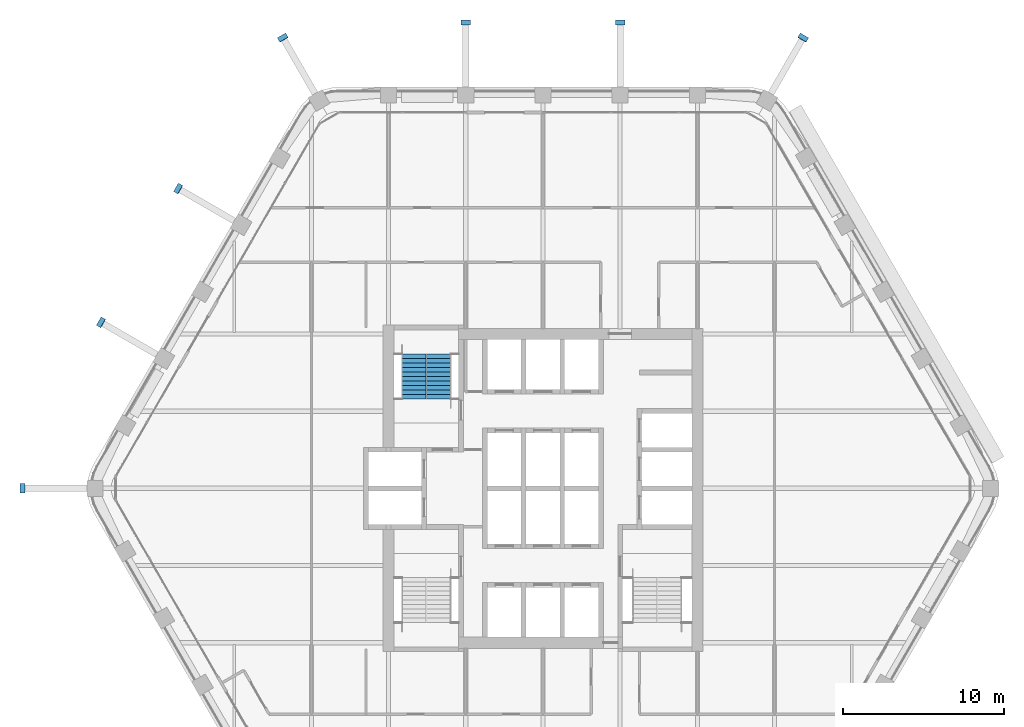
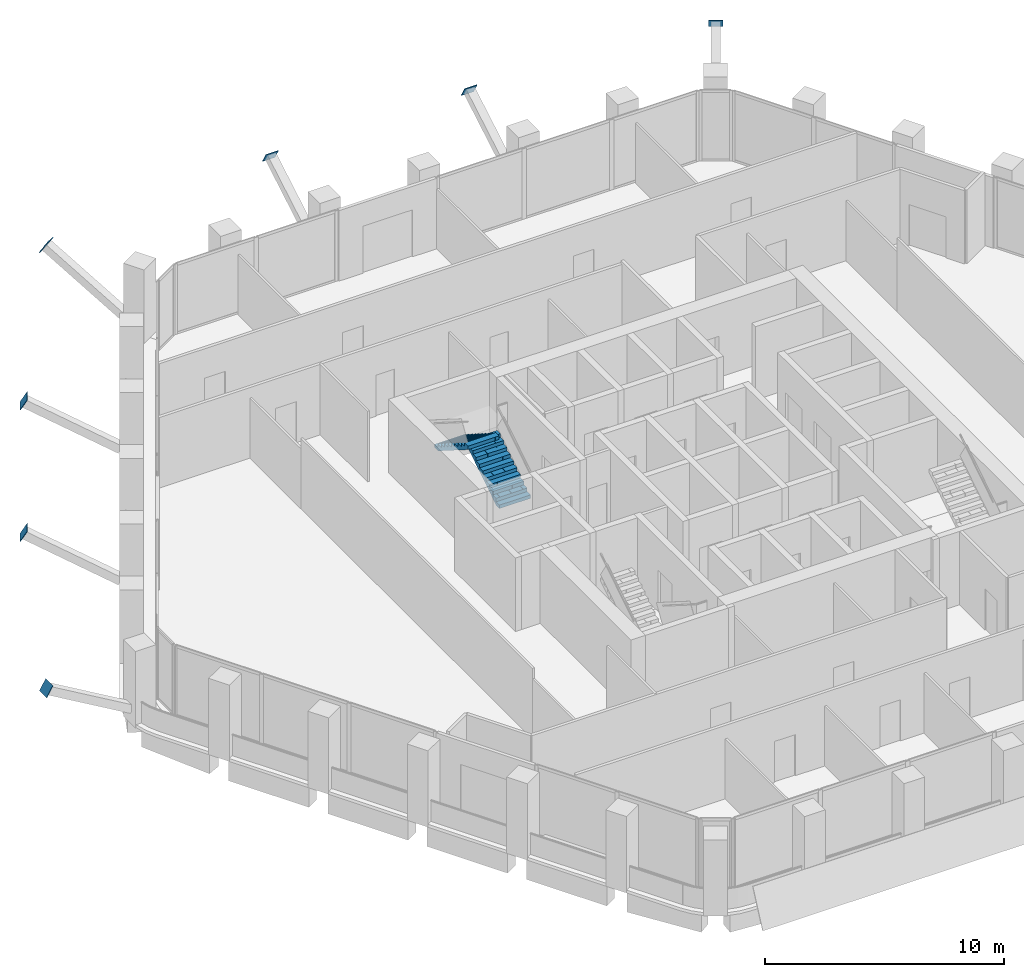
# One storey, part 14 of 16: 7 discrete accessories, 2 stair flights, 1 element without a shape of its own.
"""IFC4 building model written with IfcOpenShell, lengths in metres."""

from ifc_helpers import new_model, si_unit, direction, frame, origin, origin_2d, place, context, subcontext, project, spatial, polyline, rectangle, outline, extrude, material, type_object, element, aggregate, save


model = new_model("IFC4")

# Units and contexts
model_context = context("Model", 3, precision=1e-05, world=origin(), true_north=direction((0.0, 1.0)))
body_context = subcontext(model_context, "Body", "Model", "MODEL_VIEW")
ifc_project = project(units=[si_unit("LENGTHUNIT", "METRE"), si_unit("AREAUNIT", "SQUARE_METRE"), si_unit("VOLUMEUNIT", "CUBIC_METRE"), si_unit("PLANEANGLEUNIT", "RADIAN"), si_unit("MASSUNIT", "GRAM", prefix="KILO")], contexts=[model_context])

# Site, building, storey
site_placement = place(None, origin())
site = spatial("IfcSite", under=ifc_project, at=site_placement, CompositionType="ELEMENT")
building_placement = place(site_placement, origin())
building = spatial("IfcBuilding", under=site, at=building_placement, Name="Kolab Exchange Tower", CompositionType="ELEMENT")
storey_placement = place(building_placement, frame((0.0, 0.0, 146.60009765625)))
storey = spatial("IfcBuildingStorey", under=building, at=storey_placement, Name="L29", CompositionType="ELEMENT", Elevation=146.60009765625)

# Stair, stair flights
ifc_material = material(Name="Concrete C50/60", Category="concrete")
stair_type = type_object("IfcStairType", Name="STAIR ST1 RISER 177.3", PredefinedType="HALF_TURN_STAIR", material=ifc_material)
stair_placement = place(storey_placement, origin())
stair = element("IfcStair", 1, at=stair_placement, inside=storey, type_object=stair_type, Name="Stair 1", PredefinedType="HALF_TURN_STAIR")
stair_flight_type = type_object("IfcStairFlightType", Name="STAIR FLIGHT 1500 RISER 177.3", PredefinedType="STRAIGHT", material=ifc_material)
stair_flight_1_placement = place(storey_placement, frame((-6.489990234375, 5.550048828125, 0.0), z_axis=(0.0, 0.0, 1.0), x_axis=(0.0, 1.0, 0.0)))
stair_flight_1 = element("IfcStairFlight", 2, at=stair_flight_1_placement, type_object=stair_flight_type, Name="ST1 flight 1", NumberOfRisers=11, NumberOfTreads=10, PredefinedType="STRAIGHT", RiserHeight=0.177272727, TreadLength=0.28, context=body_context, shape_type="SweptSolid", body=[
    extrude(outline(polyline([(0.0, 0.0), (0.0, 0.17724609375), (0.280029296875, 0.17724609375), (0.280029296875, 0.3544921875), (0.56005859375, 0.3544921875), (0.56005859375, 0.53173828125), (0.840087890625, 0.53173828125), (0.840087890625, 0.708984375), (1.1201171875, 0.708984375), (1.1201171875, 0.886474609375), (1.39990234375, 0.886474609375), (1.39990234375, 1.063720703125), (1.679931640625, 1.063720703125), (1.679931640625, 1.240966796875), (1.9599609375, 1.240966796875), (1.9599609375, 1.418212890625), (2.239990234375, 1.418212890625), (2.239990234375, 1.595458984375), (2.52001953125, 1.595458984375), (2.52001953125, 1.772705078125), (2.800048828125, 1.772705078125), (2.800048828125, 1.949951171875), (2.800048828125, 1.59521484375), (0.2802734375, 0.0), (0.0, 0.0)])), frame((0.0, 0.75, 0.0), z_axis=(0.0, -1.0, 0.0), x_axis=(1.0, 0.0, 0.0)), (0.0, 0.0, 1.0), 0.185791015625),
    extrude(outline(polyline([(0.0, 0.0), (0.0, 0.17724609375), (0.280029296875, 0.17724609375), (0.280029296875, 0.3544921875), (0.56005859375, 0.3544921875), (0.56005859375, 0.53173828125), (0.840087890625, 0.53173828125), (0.840087890625, 0.708984375), (1.1201171875, 0.708984375), (1.1201171875, 0.886474609375), (1.39990234375, 0.886474609375), (1.39990234375, 1.063720703125), (1.679931640625, 1.063720703125), (1.679931640625, 1.240966796875), (1.9599609375, 1.240966796875), (1.9599609375, 1.418212890625), (2.239990234375, 1.418212890625), (2.239990234375, 1.595458984375), (2.52001953125, 1.595458984375), (2.52001953125, 1.772705078125), (2.800048828125, 1.772705078125), (2.800048828125, 1.949951171875), (2.800048828125, 1.59521484375), (0.2802734375, 0.0), (0.0, 0.0)])), frame((0.0, 0.562255859375, 0.0), z_axis=(0.0, -1.0, 0.0), x_axis=(1.0, 0.0, 0.0)), (0.0, 0.0, 1.0), 0.185791015625),
    extrude(outline(polyline([(0.0, 0.0), (0.0, 0.17724609375), (0.280029296875, 0.17724609375), (0.280029296875, 0.3544921875), (0.56005859375, 0.3544921875), (0.56005859375, 0.53173828125), (0.840087890625, 0.53173828125), (0.840087890625, 0.708984375), (1.1201171875, 0.708984375), (1.1201171875, 0.886474609375), (1.39990234375, 0.886474609375), (1.39990234375, 1.063720703125), (1.679931640625, 1.063720703125), (1.679931640625, 1.240966796875), (1.9599609375, 1.240966796875), (1.9599609375, 1.418212890625), (2.239990234375, 1.418212890625), (2.239990234375, 1.595458984375), (2.52001953125, 1.595458984375), (2.52001953125, 1.772705078125), (2.800048828125, 1.772705078125), (2.800048828125, 1.949951171875), (2.800048828125, 1.59521484375), (0.2802734375, 0.0), (0.0, 0.0)])), frame((0.0, 0.37451171875, 0.0), z_axis=(0.0, -1.0, 0.0), x_axis=(1.0, 0.0, 0.0)), (0.0, 0.0, 1.0), 0.185791015625),
    extrude(outline(polyline([(0.0, 0.0), (0.0, 0.17724609375), (0.280029296875, 0.17724609375), (0.280029296875, 0.3544921875), (0.56005859375, 0.3544921875), (0.56005859375, 0.53173828125), (0.840087890625, 0.53173828125), (0.840087890625, 0.708984375), (1.1201171875, 0.708984375), (1.1201171875, 0.886474609375), (1.39990234375, 0.886474609375), (1.39990234375, 1.063720703125), (1.679931640625, 1.063720703125), (1.679931640625, 1.240966796875), (1.9599609375, 1.240966796875), (1.9599609375, 1.418212890625), (2.239990234375, 1.418212890625), (2.239990234375, 1.595458984375), (2.52001953125, 1.595458984375), (2.52001953125, 1.772705078125), (2.800048828125, 1.772705078125), (2.800048828125, 1.949951171875), (2.800048828125, 1.59521484375), (0.2802734375, 0.0), (0.0, 0.0)])), frame((0.0, 0.186767578125, 0.0), z_axis=(0.0, -1.0, 0.0), x_axis=(1.0, 0.0, 0.0)), (0.0, 0.0, 1.0), 0.185791015625),
    extrude(outline(polyline([(0.0, 0.0), (0.0, 0.17724609375), (0.280029296875, 0.17724609375), (0.280029296875, 0.3544921875), (0.56005859375, 0.3544921875), (0.56005859375, 0.53173828125), (0.840087890625, 0.53173828125), (0.840087890625, 0.708984375), (1.1201171875, 0.708984375), (1.1201171875, 0.886474609375), (1.39990234375, 0.886474609375), (1.39990234375, 1.063720703125), (1.679931640625, 1.063720703125), (1.679931640625, 1.240966796875), (1.9599609375, 1.240966796875), (1.9599609375, 1.418212890625), (2.239990234375, 1.418212890625), (2.239990234375, 1.595458984375), (2.52001953125, 1.595458984375), (2.52001953125, 1.772705078125), (2.800048828125, 1.772705078125), (2.800048828125, 1.949951171875), (2.800048828125, 1.59521484375), (0.2802734375, 0.0), (0.0, 0.0)])), frame((0.0, -0.0009765625, 0.0), z_axis=(0.0, -1.0, 0.0), x_axis=(1.0, 0.0, 0.0)), (0.0, 0.0, 1.0), 0.185791015625),
    extrude(outline(polyline([(0.0, 0.0), (0.0, 0.17724609375), (0.280029296875, 0.17724609375), (0.280029296875, 0.3544921875), (0.56005859375, 0.3544921875), (0.56005859375, 0.53173828125), (0.840087890625, 0.53173828125), (0.840087890625, 0.708984375), (1.1201171875, 0.708984375), (1.1201171875, 0.886474609375), (1.39990234375, 0.886474609375), (1.39990234375, 1.063720703125), (1.679931640625, 1.063720703125), (1.679931640625, 1.240966796875), (1.9599609375, 1.240966796875), (1.9599609375, 1.418212890625), (2.239990234375, 1.418212890625), (2.239990234375, 1.595458984375), (2.52001953125, 1.595458984375), (2.52001953125, 1.772705078125), (2.800048828125, 1.772705078125), (2.800048828125, 1.949951171875), (2.800048828125, 1.59521484375), (0.2802734375, 0.0), (0.0, 0.0)])), frame((0.0, -0.188720703125, 0.0), z_axis=(0.0, -1.0, 0.0), x_axis=(1.0, 0.0, 0.0)), (0.0, 0.0, 1.0), 0.185791015625),
    extrude(outline(polyline([(0.0, 0.0), (0.0, 0.17724609375), (0.280029296875, 0.17724609375), (0.280029296875, 0.3544921875), (0.56005859375, 0.3544921875), (0.56005859375, 0.53173828125), (0.840087890625, 0.53173828125), (0.840087890625, 0.708984375), (1.1201171875, 0.708984375), (1.1201171875, 0.886474609375), (1.39990234375, 0.886474609375), (1.39990234375, 1.063720703125), (1.679931640625, 1.063720703125), (1.679931640625, 1.240966796875), (1.9599609375, 1.240966796875), (1.9599609375, 1.418212890625), (2.239990234375, 1.418212890625), (2.239990234375, 1.595458984375), (2.52001953125, 1.595458984375), (2.52001953125, 1.772705078125), (2.800048828125, 1.772705078125), (2.800048828125, 1.949951171875), (2.800048828125, 1.59521484375), (0.2802734375, 0.0), (0.0, 0.0)])), frame((0.0, -0.37646484375, 0.0), z_axis=(0.0, -1.0, 0.0), x_axis=(1.0, 0.0, 0.0)), (0.0, 0.0, 1.0), 0.185791015625),
    extrude(outline(polyline([(0.0, 0.0), (0.0, 0.17724609375), (0.280029296875, 0.17724609375), (0.280029296875, 0.3544921875), (0.56005859375, 0.3544921875), (0.56005859375, 0.53173828125), (0.840087890625, 0.53173828125), (0.840087890625, 0.708984375), (1.1201171875, 0.708984375), (1.1201171875, 0.886474609375), (1.39990234375, 0.886474609375), (1.39990234375, 1.063720703125), (1.679931640625, 1.063720703125), (1.679931640625, 1.240966796875), (1.9599609375, 1.240966796875), (1.9599609375, 1.418212890625), (2.239990234375, 1.418212890625), (2.239990234375, 1.595458984375), (2.52001953125, 1.595458984375), (2.52001953125, 1.772705078125), (2.800048828125, 1.772705078125), (2.800048828125, 1.949951171875), (2.800048828125, 1.59521484375), (0.2802734375, 0.0), (0.0, 0.0)])), frame((0.0, -0.564208984375, 0.0), z_axis=(0.0, -1.0, 0.0), x_axis=(1.0, 0.0, 0.0)), (0.0, 0.0, 1.0), 0.185791015625),
])
stair_flight_2_placement = place(storey_placement, frame((-8.010009765625, 8.35009765625, 1.949951171875), z_axis=(0.0, 0.0, 1.0), x_axis=(0.0, -1.0, 0.0)))
stair_flight_2 = element("IfcStairFlight", 3, at=stair_flight_2_placement, type_object=stair_flight_type, Name="ST1 flight 2", NumberOfRisers=11, NumberOfTreads=10, PredefinedType="STRAIGHT", RiserHeight=0.177272727, TreadLength=0.28, context=body_context, shape_type="SweptSolid", body=[
    extrude(outline(polyline([(0.0, 0.0), (0.0, 0.17724609375), (0.280029296875, 0.17724609375), (0.280029296875, 0.3544921875), (0.56005859375, 0.3544921875), (0.56005859375, 0.53173828125), (0.840087890625, 0.53173828125), (0.840087890625, 0.708984375), (1.1201171875, 0.708984375), (1.1201171875, 0.886474609375), (1.39990234375, 0.886474609375), (1.39990234375, 1.063720703125), (1.679931640625, 1.063720703125), (1.679931640625, 1.240966796875), (1.9599609375, 1.240966796875), (1.9599609375, 1.418212890625), (2.239990234375, 1.418212890625), (2.239990234375, 1.595458984375), (2.52001953125, 1.595458984375), (2.52001953125, 1.772705078125), (2.800048828125, 1.772705078125), (2.800048828125, 1.949951171875), (2.800048828125, 1.59521484375), (0.2802734375, 0.0), (0.0, 0.0)])), frame((0.0, 0.75, 0.0), z_axis=(0.0, -1.0, 0.0), x_axis=(1.0, 0.0, 0.0)), (0.0, 0.0, 1.0), 0.185791015625),
    extrude(outline(polyline([(0.0, 0.0), (0.0, 0.17724609375), (0.280029296875, 0.17724609375), (0.280029296875, 0.3544921875), (0.56005859375, 0.3544921875), (0.56005859375, 0.53173828125), (0.840087890625, 0.53173828125), (0.840087890625, 0.708984375), (1.1201171875, 0.708984375), (1.1201171875, 0.886474609375), (1.39990234375, 0.886474609375), (1.39990234375, 1.063720703125), (1.679931640625, 1.063720703125), (1.679931640625, 1.240966796875), (1.9599609375, 1.240966796875), (1.9599609375, 1.418212890625), (2.239990234375, 1.418212890625), (2.239990234375, 1.595458984375), (2.52001953125, 1.595458984375), (2.52001953125, 1.772705078125), (2.800048828125, 1.772705078125), (2.800048828125, 1.949951171875), (2.800048828125, 1.59521484375), (0.2802734375, 0.0), (0.0, 0.0)])), frame((0.0, 0.562255859375, 0.0), z_axis=(0.0, -1.0, 0.0), x_axis=(1.0, 0.0, 0.0)), (0.0, 0.0, 1.0), 0.185791015625),
    extrude(outline(polyline([(0.0, 0.0), (0.0, 0.17724609375), (0.280029296875, 0.17724609375), (0.280029296875, 0.3544921875), (0.56005859375, 0.3544921875), (0.56005859375, 0.53173828125), (0.840087890625, 0.53173828125), (0.840087890625, 0.708984375), (1.1201171875, 0.708984375), (1.1201171875, 0.886474609375), (1.39990234375, 0.886474609375), (1.39990234375, 1.063720703125), (1.679931640625, 1.063720703125), (1.679931640625, 1.240966796875), (1.9599609375, 1.240966796875), (1.9599609375, 1.418212890625), (2.239990234375, 1.418212890625), (2.239990234375, 1.595458984375), (2.52001953125, 1.595458984375), (2.52001953125, 1.772705078125), (2.800048828125, 1.772705078125), (2.800048828125, 1.949951171875), (2.800048828125, 1.59521484375), (0.2802734375, 0.0), (0.0, 0.0)])), frame((0.0, 0.37451171875, 0.0), z_axis=(0.0, -1.0, 0.0), x_axis=(1.0, 0.0, 0.0)), (0.0, 0.0, 1.0), 0.185791015625),
    extrude(outline(polyline([(0.0, 0.0), (0.0, 0.17724609375), (0.280029296875, 0.17724609375), (0.280029296875, 0.3544921875), (0.56005859375, 0.3544921875), (0.56005859375, 0.53173828125), (0.840087890625, 0.53173828125), (0.840087890625, 0.708984375), (1.1201171875, 0.708984375), (1.1201171875, 0.886474609375), (1.39990234375, 0.886474609375), (1.39990234375, 1.063720703125), (1.679931640625, 1.063720703125), (1.679931640625, 1.240966796875), (1.9599609375, 1.240966796875), (1.9599609375, 1.418212890625), (2.239990234375, 1.418212890625), (2.239990234375, 1.595458984375), (2.52001953125, 1.595458984375), (2.52001953125, 1.772705078125), (2.800048828125, 1.772705078125), (2.800048828125, 1.949951171875), (2.800048828125, 1.59521484375), (0.2802734375, 0.0), (0.0, 0.0)])), frame((0.0, 0.186767578125, 0.0), z_axis=(0.0, -1.0, 0.0), x_axis=(1.0, 0.0, 0.0)), (0.0, 0.0, 1.0), 0.185791015625),
    extrude(outline(polyline([(0.0, 0.0), (0.0, 0.17724609375), (0.280029296875, 0.17724609375), (0.280029296875, 0.3544921875), (0.56005859375, 0.3544921875), (0.56005859375, 0.53173828125), (0.840087890625, 0.53173828125), (0.840087890625, 0.708984375), (1.1201171875, 0.708984375), (1.1201171875, 0.886474609375), (1.39990234375, 0.886474609375), (1.39990234375, 1.063720703125), (1.679931640625, 1.063720703125), (1.679931640625, 1.240966796875), (1.9599609375, 1.240966796875), (1.9599609375, 1.418212890625), (2.239990234375, 1.418212890625), (2.239990234375, 1.595458984375), (2.52001953125, 1.595458984375), (2.52001953125, 1.772705078125), (2.800048828125, 1.772705078125), (2.800048828125, 1.949951171875), (2.800048828125, 1.59521484375), (0.2802734375, 0.0), (0.0, 0.0)])), frame((0.0, -0.0009765625, 0.0), z_axis=(0.0, -1.0, 0.0), x_axis=(1.0, 0.0, 0.0)), (0.0, 0.0, 1.0), 0.185791015625),
    extrude(outline(polyline([(0.0, 0.0), (0.0, 0.17724609375), (0.280029296875, 0.17724609375), (0.280029296875, 0.3544921875), (0.56005859375, 0.3544921875), (0.56005859375, 0.53173828125), (0.840087890625, 0.53173828125), (0.840087890625, 0.708984375), (1.1201171875, 0.708984375), (1.1201171875, 0.886474609375), (1.39990234375, 0.886474609375), (1.39990234375, 1.063720703125), (1.679931640625, 1.063720703125), (1.679931640625, 1.240966796875), (1.9599609375, 1.240966796875), (1.9599609375, 1.418212890625), (2.239990234375, 1.418212890625), (2.239990234375, 1.595458984375), (2.52001953125, 1.595458984375), (2.52001953125, 1.772705078125), (2.800048828125, 1.772705078125), (2.800048828125, 1.949951171875), (2.800048828125, 1.59521484375), (0.2802734375, 0.0), (0.0, 0.0)])), frame((0.0, -0.188720703125, 0.0), z_axis=(0.0, -1.0, 0.0), x_axis=(1.0, 0.0, 0.0)), (0.0, 0.0, 1.0), 0.185791015625),
    extrude(outline(polyline([(0.0, 0.0), (0.0, 0.17724609375), (0.280029296875, 0.17724609375), (0.280029296875, 0.3544921875), (0.56005859375, 0.3544921875), (0.56005859375, 0.53173828125), (0.840087890625, 0.53173828125), (0.840087890625, 0.708984375), (1.1201171875, 0.708984375), (1.1201171875, 0.886474609375), (1.39990234375, 0.886474609375), (1.39990234375, 1.063720703125), (1.679931640625, 1.063720703125), (1.679931640625, 1.240966796875), (1.9599609375, 1.240966796875), (1.9599609375, 1.418212890625), (2.239990234375, 1.418212890625), (2.239990234375, 1.595458984375), (2.52001953125, 1.595458984375), (2.52001953125, 1.772705078125), (2.800048828125, 1.772705078125), (2.800048828125, 1.949951171875), (2.800048828125, 1.59521484375), (0.2802734375, 0.0), (0.0, 0.0)])), frame((0.0, -0.37646484375, 0.0), z_axis=(0.0, -1.0, 0.0), x_axis=(1.0, 0.0, 0.0)), (0.0, 0.0, 1.0), 0.185791015625),
    extrude(outline(polyline([(0.0, 0.0), (0.0, 0.17724609375), (0.280029296875, 0.17724609375), (0.280029296875, 0.3544921875), (0.56005859375, 0.3544921875), (0.56005859375, 0.53173828125), (0.840087890625, 0.53173828125), (0.840087890625, 0.708984375), (1.1201171875, 0.708984375), (1.1201171875, 0.886474609375), (1.39990234375, 0.886474609375), (1.39990234375, 1.063720703125), (1.679931640625, 1.063720703125), (1.679931640625, 1.240966796875), (1.9599609375, 1.240966796875), (1.9599609375, 1.418212890625), (2.239990234375, 1.418212890625), (2.239990234375, 1.595458984375), (2.52001953125, 1.595458984375), (2.52001953125, 1.772705078125), (2.800048828125, 1.772705078125), (2.800048828125, 1.949951171875), (2.800048828125, 1.59521484375), (0.2802734375, 0.0), (0.0, 0.0)])), frame((0.0, -0.564208984375, 0.0), z_axis=(0.0, -1.0, 0.0), x_axis=(1.0, 0.0, 0.0)), (0.0, 0.0, 1.0), 0.185791015625),
])
aggregate(stair, [stair_flight_1, stair_flight_2])

# Discrete accessories
discrete_accessory_1_placement = place(storey_placement, frame((-32.3359375, 0.0, 2.968017578125), z_axis=(-0.865201820635, 0.0, 0.501423782413), x_axis=(0.0, -1.0, 0.0)))
element("IfcDiscreteAccessory", 4, at=discrete_accessory_1_placement, inside=storey, Name="Gusset plate", ObjectType="GUSSET PLATE", PredefinedType="USERDEFINED", context=body_context, shape_type="SweptSolid", body=[
    extrude(rectangle(XDim=0.60009765625, YDim=0.60009765625, at=origin_2d()), origin(), (0.0, 0.0, 1.0), 0.02490234375),
])
discrete_accessory_2_placement = place(storey_placement, frame((-27.464111328125, 10.313720703125, 2.968017578125), z_axis=(-0.749482689112, 0.438009363767, 0.496410612269), x_axis=(-0.504568019295, -0.863371944127, 0.0)))
element("IfcDiscreteAccessory", 5, at=discrete_accessory_2_placement, inside=storey, Name="Gusset plate", ObjectType="GUSSET PLATE", PredefinedType="USERDEFINED", context=body_context, shape_type="SweptSolid", body=[
    extrude(rectangle(XDim=0.60009765625, YDim=0.60009765625, at=origin_2d()), origin(), (0.0, 0.0, 1.0), 0.025146484375),
])
for number, where, z_axis, x_axis, name in (
    (6, (-22.6640625, 18.627685546875, 2.968017578125), (-0.75266264091, 0.430092937663, 0.49851681411), (-0.496138938357, -0.868243142124, 0.0), "Gusset plate"),
    (7, (-16.16796875, 28.003662109375, 2.968017578125), (-0.430092937663, 0.75266264091, 0.49851681411), (-0.868243142124, -0.496138938357, 0.0), "Gusset plate"),
):
    element("IfcDiscreteAccessory", number, at=place(storey_placement, frame(where, z_axis=z_axis, x_axis=x_axis)), inside=storey, Name=name, ObjectType="GUSSET PLATE", PredefinedType="USERDEFINED", context=body_context, shape_type="SweptSolid", body=[
        extrude(rectangle(XDim=0.60009765625, YDim=0.60009765625, at=origin_2d()), origin(), (0.0, 0.0, 1.0), 0.02490234375),
    ])
for number, where, z_axis, x_axis, name in (
    (8, (-4.800048828125, 28.94140625, 2.968017578125), (0.0, 0.867642581652, 0.497188445666), (-1.0, 0.0, 0.0), "Gusset plate"),
    (9, (4.800048828125, 28.94140625, 2.968017578125), (0.0, 0.867642581652, 0.497188445666), (-1.0, 0.0, 0.0), "Gusset plate"),
):
    element("IfcDiscreteAccessory", number, at=place(storey_placement, frame(where, z_axis=z_axis, x_axis=x_axis)), inside=storey, Name=name, ObjectType="GUSSET PLATE", PredefinedType="USERDEFINED", context=body_context, shape_type="SweptSolid", body=[
        extrude(rectangle(XDim=0.60009765625, YDim=0.60009765625, at=origin_2d()), origin(), (0.0, 0.0, 1.0), 0.025146484375),
    ])
discrete_accessory_3_placement = place(storey_placement, frame((16.16796875, 28.003662109375, 2.968017578125), z_axis=(0.430092937663, 0.75266264091, 0.49851681411), x_axis=(-0.868243142124, 0.496138938357, 0.0)))
element("IfcDiscreteAccessory", 10, at=discrete_accessory_3_placement, inside=storey, Name="Gusset plate", ObjectType="GUSSET PLATE", PredefinedType="USERDEFINED", context=body_context, shape_type="SweptSolid", body=[
    extrude(rectangle(XDim=0.60009765625, YDim=0.60009765625, at=origin_2d()), origin(), (0.0, 0.0, 1.0), 0.02490234375),
])

save(model, "model.ifc")
